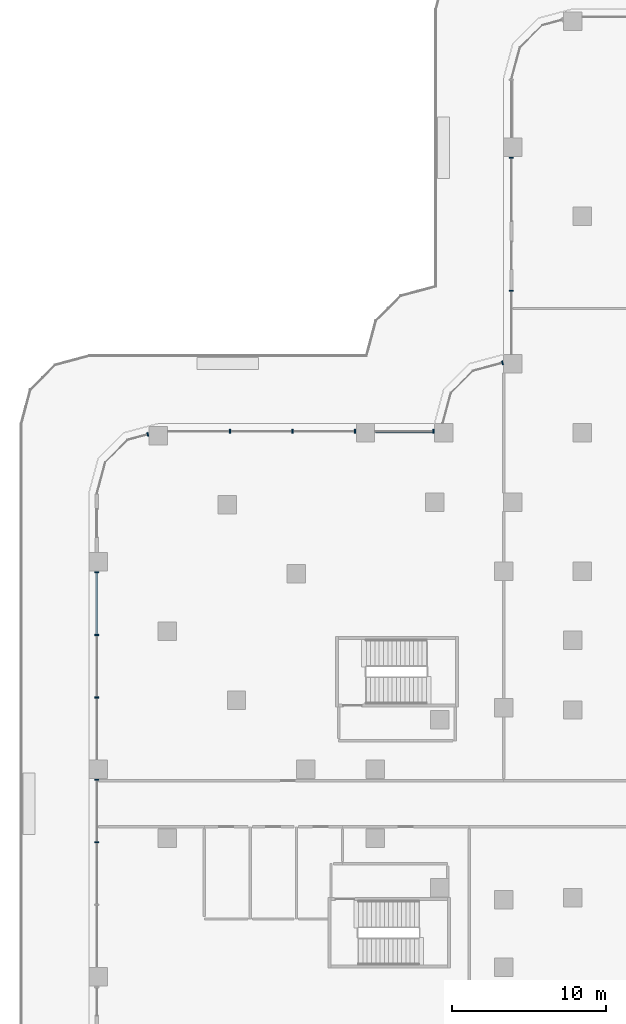
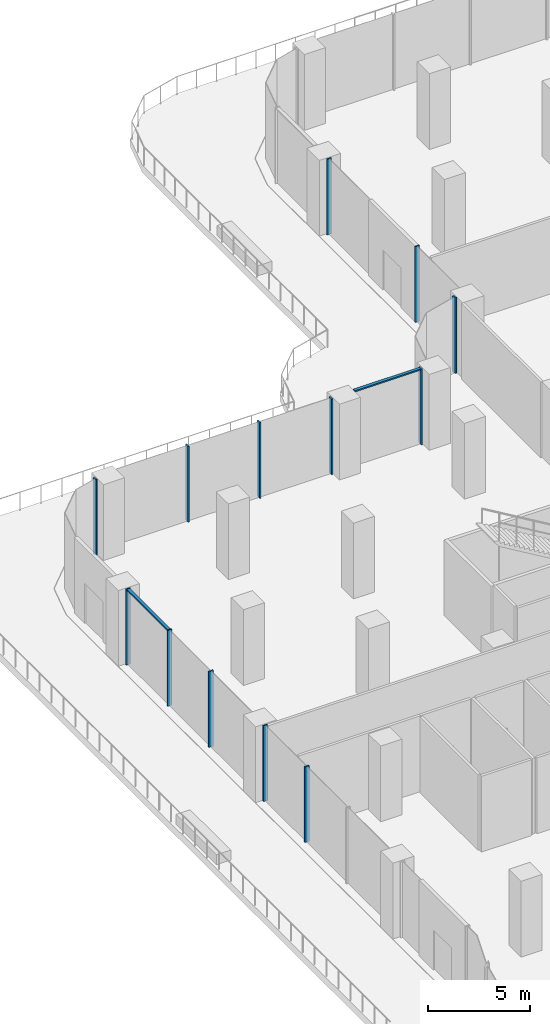
# One storey, part 6 of 30: 15 members, 5 elements without a shape of their own.
"""IFC4 building model written with IfcOpenShell, lengths in metres."""

import ifcopenshell
import ifcopenshell.guid

model = None  # the IFC model being written
_history = None  # IfcOwnerHistory: only IFC2X3 demands one
_inside = {}  # id of a spatial element -> (the spatial element, [elements in it])
_under = {}  # id of a project, library or spatial element -> (it, [spatial elements below it])
_declared = {}  # id of a project -> (the project, [libraries it declares])
_typed = {}  # id of a type object -> (the type object, [elements of that type])
_made_of = {}  # id of a material, layer set ... -> (it, [elements and type objects made of it])


def new_model(schema):
    """Start an empty IFC model of exactly this schema.

    Asked for "IFC4X3", IfcOpenShell would pick the latest addendum, in which some entities
    have other attributes; the version numbers below select the first issue.
    IFC2X3 requires an IfcOwnerHistory on every rooted entity: one is made here for all.
    """
    global model, _history
    if schema == "IFC4X3":
        model = ifcopenshell.file(schema_version=(4, 3, 0, 0))
    else:
        model = ifcopenshell.file(schema=schema)
    _inside.clear()
    _under.clear()
    _declared.clear()
    _typed.clear()
    _made_of.clear()
    _history = None
    if model.schema == "IFC2X3":
        org = make("IfcOrganization", Name="unknown")
        user = make(
            "IfcPersonAndOrganization",
            ThePerson=make("IfcPerson", FamilyName="unknown"),
            TheOrganization=org,
        )
        app = make(
            "IfcApplication",
            ApplicationDeveloper=org,
            Version="unknown",
            ApplicationFullName="unknown",
            ApplicationIdentifier="unknown",
        )
        _history = make(
            "IfcOwnerHistory",
            OwningUser=user,
            OwningApplication=app,
            ChangeAction="ADDED",
            CreationDate=0,
        )
    return model


def make(cls, **values):
    """One entity of the class cls with the attributes given. An attribute that is None is left unset."""
    return model.create_entity(
        cls, **{name: value for name, value in values.items() if value is not None}
    )


def rooted(cls, **values):
    """An entity with a GlobalId (a new one), such as an element, a storey or a relation."""
    return make(cls, GlobalId=ifcopenshell.guid.new(), OwnerHistory=_history, **values)


def si_unit(unit_type, name, prefix=None):
    """IfcSIUnit, for example si_unit("LENGTHUNIT", "METRE", prefix="MILLI")."""
    return make("IfcSIUnit", UnitType=unit_type, Prefix=prefix, Name=name)


def assignment(units):
    """IfcUnitAssignment: the units of a project."""
    return None if units is None else make("IfcUnitAssignment", Units=units)


def point(xyz):
    """IfcCartesianPoint."""
    return None if xyz is None else make("IfcCartesianPoint", Coordinates=xyz)


def direction(xyz):
    """IfcDirection."""
    return None if xyz is None else make("IfcDirection", DirectionRatios=xyz)


def frame(location, z_axis=None, x_axis=None):
    """IfcAxis2Placement3D, a coordinate frame: its origin and axes. An axis left out is left unset."""
    return make(
        "IfcAxis2Placement3D",
        Location=point(location),
        Axis=direction(z_axis),
        RefDirection=direction(x_axis),
    )


def origin():
    """The frame at (0, 0, 0) with its axes left unset."""
    return frame((0.0, 0.0, 0.0))


def place(relative_to, where):
    """IfcLocalPlacement: puts the frame where relative to a parent placement (None: the world)."""
    return make(
        "IfcLocalPlacement", PlacementRelTo=relative_to, RelativePlacement=where
    )


def context(
    kind, dimensions, precision=None, world=None, true_north=None, identifier=None
):
    """IfcGeometricRepresentationContext, for example the 3D "Model" context."""
    return make(
        "IfcGeometricRepresentationContext",
        ContextIdentifier=identifier,
        ContextType=kind,
        CoordinateSpaceDimension=dimensions,
        Precision=precision,
        WorldCoordinateSystem=world,
        TrueNorth=true_north,
    )


def subcontext(parent, identifier, kind, view, scale=None):
    """IfcGeometricRepresentationSubContext, for example "Body" below "Model"."""
    return make(
        "IfcGeometricRepresentationSubContext",
        ContextIdentifier=identifier,
        ContextType=kind,
        ParentContext=parent,
        TargetScale=scale,
        TargetView=view,
    )


def project(units=None, contexts=None):
    """IfcProject with its units and contexts."""
    return rooted(
        "IfcProject",
        Name="project",
        RepresentationContexts=contexts,
        UnitsInContext=assignment(units),
    )


def spatial(cls, under=None, at=None, **own):
    """A site, building, storey or space (cls), placed at a placement, below another one or the project."""
    s = rooted(cls, ObjectPlacement=at, **own)
    if under is not None:
        _under.setdefault(under.id(), (under, []))[1].append(s)
    return s


def polyline(points):
    """IfcPolyline through the points."""
    return make("IfcPolyline", Points=[point(p) for p in points])


def outline(outer, holes=None, kind="AREA"):
    """IfcArbitraryClosedProfileDef: a profile drawn as a closed curve; with holes, ...WithVoids."""
    if holes is None:
        return make("IfcArbitraryClosedProfileDef", ProfileType=kind, OuterCurve=outer)
    return make(
        "IfcArbitraryProfileDefWithVoids",
        ProfileType=kind,
        OuterCurve=outer,
        InnerCurves=holes,
    )


def extrude(swept, where, along, depth):
    """IfcExtrudedAreaSolid: the profile swept, set in the frame where, extruded along a direction by depth."""
    return make(
        "IfcExtrudedAreaSolid",
        SweptArea=swept,
        Position=where,
        ExtrudedDirection=direction(along),
        Depth=depth,
    )


def shape(context_of_items, identifier, shape_type, items):
    """IfcShapeRepresentation: the items that make up one representation, for example the "Body"."""
    return make(
        "IfcShapeRepresentation",
        ContextOfItems=context_of_items,
        RepresentationIdentifier=identifier,
        RepresentationType=shape_type,
        Items=items,
    )


def source(mapping_origin, context_of_items, identifier, shape_type, items):
    """IfcRepresentationMap: a shape defined once, which mapped items show again and again."""
    return make(
        "IfcRepresentationMap",
        MappingOrigin=mapping_origin,
        MappedRepresentation=shape(context_of_items, identifier, shape_type, items),
    )


def transform(
    local_origin,
    x_axis=None,
    y_axis=None,
    z_axis=None,
    scale=None,
    scale2=None,
    scale3=None,
    uniform=True,
):
    """IfcCartesianTransformationOperator3D, or its non-uniform kind. x_axis, y_axis, z_axis: its Axis1, 2, 3."""
    if uniform:
        return make(
            "IfcCartesianTransformationOperator3D",
            Axis1=direction(x_axis),
            Axis2=direction(y_axis),
            LocalOrigin=point(local_origin),
            Scale=scale,
            Axis3=direction(z_axis),
        )
    return make(
        "IfcCartesianTransformationOperator3DnonUniform",
        Axis1=direction(x_axis),
        Axis2=direction(y_axis),
        LocalOrigin=point(local_origin),
        Scale=scale,
        Axis3=direction(z_axis),
        Scale2=scale2,
        Scale3=scale3,
    )


def mapped(mapping_source, mapping_target):
    """IfcMappedItem: shows the shape of a source again, moved by a transform."""
    return make(
        "IfcMappedItem", MappingSource=mapping_source, MappingTarget=mapping_target
    )


def material(Name=None, Category=None):
    """IfcMaterial."""
    return make("IfcMaterial", Name=Name, Category=Category)


def made_of(thing, what):
    """Note that an element or type object is made of a material, layer set ...; save() writes the relation."""
    if what is not None:
        _made_of.setdefault(what.id(), (what, []))[1].append(thing)
    return thing


def type_object(cls, material=None, **own):
    """A type object (cls), such as IfcWallType, which elements share."""
    return made_of(rooted(cls, **own), material)


def element(
    cls,
    number,
    at=None,
    inside=None,
    cuts=None,
    type_object=None,
    material=None,
    context=None,
    identifier="Body",
    shape_type=None,
    held_by="IfcProductDefinitionShape",
    body=None,
    shapes=None,
    **own,
):
    """One element of the class cls, such as IfcWall. Its Tag is "e" and its number.

    at: its placement. inside: the storey or other place that contains it. cuts: it is an
    opening in that element (IfcRelVoidsElement). A single representation is given by context,
    identifier, shape_type and body (its items); several are given by shapes. held_by: the class
    of the entity that holds the representations. save() writes the other relations.
    """
    e = rooted(cls, Tag="e%d" % number, ObjectPlacement=at, **own)
    if body is not None:
        shapes = [shape(context, identifier, shape_type, body)]
    if shapes is not None:
        e.Representation = make(held_by, Representations=shapes)
    if inside is not None:
        _inside.setdefault(inside.id(), (inside, []))[1].append(e)
    if cuts is not None:
        rooted(
            "IfcRelVoidsElement", RelatingBuildingElement=cuts, RelatedOpeningElement=e
        )
    if type_object is not None:
        _typed.setdefault(type_object.id(), (type_object, []))[1].append(e)
    return made_of(e, material)


def aggregate(whole, parts):
    """IfcRelAggregates: a whole, such as a stair, and the parts it consists of."""
    return rooted("IfcRelAggregates", RelatingObject=whole, RelatedObjects=parts)


def save(model, path):
    """Write the relations noted so far, then the file.

    IfcRelAggregates (storeys below a building ...), IfcRelContainedInSpatialStructure (elements
    in a storey), IfcRelDefinesByType, IfcRelAssociatesMaterial and IfcRelDeclares: one each for
    every whole, place, type object, material and project.
    """
    for whole, parts in _under.values():
        aggregate(whole, parts)
    for where, things in _inside.values():
        rooted(
            "IfcRelContainedInSpatialStructure",
            RelatedElements=things,
            RelatingStructure=where,
        )
    for kind, things in _typed.values():
        rooted("IfcRelDefinesByType", RelatedObjects=things, RelatingType=kind)
    for what, things in _made_of.values():
        rooted("IfcRelAssociatesMaterial", RelatedObjects=things, RelatingMaterial=what)
    for by, libraries in _declared.values():
        rooted("IfcRelDeclares", RelatingContext=by, RelatedDefinitions=libraries)
    model.write(path)


model = new_model("IFC4")

# Units and contexts
model_context = context("Model", 3, precision=1e-05, world=origin(), true_north=direction((0.0, 1.0)))
body_context = subcontext(model_context, "Body", "Model", "MODEL_VIEW")
ifc_project = project(units=[si_unit("LENGTHUNIT", "METRE"), si_unit("AREAUNIT", "SQUARE_METRE"), si_unit("VOLUMEUNIT", "CUBIC_METRE"), si_unit("PLANEANGLEUNIT", "RADIAN"), si_unit("MASSUNIT", "GRAM", prefix="KILO")], contexts=[model_context])

# Site, building, storey
site_placement = place(None, origin())
site = spatial("IfcSite", under=ifc_project, at=site_placement, CompositionType="ELEMENT")
building_placement = place(site_placement, origin())
building = spatial("IfcBuilding", under=site, at=building_placement, Name="Zarbagh Exchange Tower", CompositionType="ELEMENT")
storey_placement = place(building_placement, frame((0.0, 0.0, 7.0)))
storey = spatial("IfcBuildingStorey", under=building, at=storey_placement, Name="L01", CompositionType="ELEMENT", Elevation=7.0)

# Curtain wall, member
ifc_material_1 = material(Name="Anodised aluminium frame and glazing", Category="aluminium")
curtain_wall_type = type_object("IfcCurtainWallType", Name="CWC Podium garden-wall glazing", PredefinedType="NOTDEFINED", material=ifc_material_1)
curtain_wall_1_placement = place(storey_placement, origin())
curtain_wall_1 = element("IfcCurtainWall", 1, at=curtain_wall_1_placement, inside=storey, type_object=curtain_wall_type, Name="CWC82 curtain wall", PredefinedType="NOTDEFINED")
ifc_material_2 = material(Name="Anodised aluminium frame", Category="aluminium")
member_type_1 = type_object("IfcMemberType", Name="TRC Transom, anodised aluminium frame", PredefinedType="USERDEFINED", material=ifc_material_2)
shared_shape_1 = source(origin(), body_context, "Body", "SweptSolid", [
    extrude(outline(polyline([(-0.080078125, -0.090087890625), (0.0, -0.090087890625), (0.0, 0.090087890625), (-0.080078125, 0.090087890625), (-0.080078125, -0.090087890625)])), origin(), (0.0, 0.0, 1.0), 3.739990234375),
])
placement = place(storey_placement, origin())
member_1 = element("IfcMember", 2, at=placement, type_object=member_type_1, Name="CWC82 transom 1.1", ObjectType="TRANSOM", PredefinedType="USERDEFINED", context=body_context, shape_type="MappedRepresentation", body=[
    mapped(shared_shape_1, transform((-29.3701171875, 24.25, 4.550048828125), x_axis=(0.0, 0.0, 1.0), y_axis=(0.0, 1.0, 0.0), z_axis=(-1.0, 0.0, 0.0))),
])

# Curtain wall, members
curtain_wall_2_placement = place(storey_placement, origin())
curtain_wall_2 = element("IfcCurtainWall", 3, at=curtain_wall_2_placement, inside=storey, type_object=curtain_wall_type, Name="CWC78 curtain wall", PredefinedType="NOTDEFINED")
member_type_2 = type_object("IfcMemberType", Name="MUC Mullion, anodised aluminium frame", PredefinedType="MULLION", material=ifc_material_2)
shared_shape_2 = source(origin(), body_context, "Body", "SweptSolid", [
    extrude(outline(polyline([(0.0, -0.125), (0.080078125, -0.125), (0.080078125, 0.125), (0.0, 0.125), (0.0, -0.125)])), origin(), (0.0, 0.0, 1.0), 4.550048828125),
])
member_2 = element("IfcMember", 4, at=placement, type_object=member_type_2, Name="CWC78 mullion 2.1", PredefinedType="MULLION", context=body_context, shape_type="MappedRepresentation", body=[
    mapped(shared_shape_2, transform((-24.25, 42.10986328125, 0.0), x_axis=(0.0, -1.0, 0.0), y_axis=(1.0, 0.0, 0.0), z_axis=(0.0, 0.0, 1.0))),
])
member_3 = element("IfcMember", 5, at=placement, type_object=member_type_2, Name="CWC78 mullion 3.1", PredefinedType="MULLION", context=body_context, shape_type="MappedRepresentation", body=[
    mapped(shared_shape_2, transform((-24.25, 33.449951171875, 0.0), x_axis=(0.0, -1.0, 0.0), y_axis=(1.0, 0.0, 0.0), z_axis=(0.0, 0.0, 1.0))),
])
aggregate(curtain_wall_2, [member_2, member_3])

# Curtain wall, member
curtain_wall_3_placement = place(storey_placement, origin())
curtain_wall_3 = element("IfcCurtainWall", 6, at=curtain_wall_3_placement, inside=storey, type_object=curtain_wall_type, Name="CWC79 curtain wall", PredefinedType="NOTDEFINED")
member_4 = element("IfcMember", 7, at=placement, type_object=member_type_2, Name="CWC79 mullion 1.1", PredefinedType="MULLION", context=body_context, shape_type="MappedRepresentation", body=[
    mapped(shared_shape_2, transform((-24.7900390625, 28.7216796875, 0.0), x_axis=(-0.965924289636, -0.258824779902, 0.0), y_axis=(0.258824779902, -0.965924289636, 0.0), z_axis=(0.0, 0.0, 1.0))),
])
aggregate(curtain_wall_3, [member_4])

# Member
member_5 = element("IfcMember", 8, at=placement, type_object=member_type_2, Name="CWC82 mullion 1.1", PredefinedType="MULLION", context=body_context, shape_type="MappedRepresentation", body=[
    mapped(shared_shape_2, transform((-29.2900390625, 24.25, 0.0), x_axis=(-1.0, 0.0, 0.0), y_axis=(0.0, -1.0, 0.0), z_axis=(0.0, 0.0, 1.0))),
])

member_6 = element("IfcMember", 9, at=placement, type_object=member_type_2, Name="CWC82 mullion 2.1", PredefinedType="MULLION", context=body_context, shape_type="MappedRepresentation", body=[
    mapped(shared_shape_2, transform((-34.39013671875, 24.25, 0.0), x_axis=(-1.0, 0.0, 0.0), y_axis=(0.0, -1.0, 0.0), z_axis=(0.0, 0.0, 1.0))),
])

member_7 = element("IfcMember", 10, at=placement, type_object=member_type_2, Name="CWC82 mullion 2.2", PredefinedType="MULLION", context=body_context, shape_type="MappedRepresentation", body=[
    mapped(shared_shape_2, transform((-38.46337890625, 24.25, 0.0), x_axis=(-1.0, 0.0, 0.0), y_axis=(0.0, -1.0, 0.0), z_axis=(0.0, 0.0, 1.0))),
])

member_8 = element("IfcMember", 11, at=placement, type_object=member_type_2, Name="CWC82 mullion 2.3", PredefinedType="MULLION", context=body_context, shape_type="MappedRepresentation", body=[
    mapped(shared_shape_2, transform((-42.53662109375, 24.25, 0.0), x_axis=(-1.0, 0.0, 0.0), y_axis=(0.0, -1.0, 0.0), z_axis=(0.0, 0.0, 1.0))),
])

aggregate(curtain_wall_1, [member_5, member_1, member_6, member_7, member_8])

# Curtain wall, member
curtain_wall_4_placement = place(storey_placement, origin())
curtain_wall_4 = element("IfcCurtainWall", 12, at=curtain_wall_4_placement, inside=storey, type_object=curtain_wall_type, Name="CWC83 curtain wall", PredefinedType="NOTDEFINED")
member_9 = element("IfcMember", 13, at=placement, type_object=member_type_2, Name="CWC83 mullion 1.1", PredefinedType="MULLION", context=body_context, shape_type="MappedRepresentation", body=[
    mapped(shared_shape_2, transform((-47.889892578125, 24.060791015625, 0.0), x_axis=(-0.965924289636, -0.258824779902, 0.0), y_axis=(0.258824779902, -0.965924289636, 0.0), z_axis=(0.0, 0.0, 1.0))),
])
aggregate(curtain_wall_4, [member_9])

# Curtain wall, members
curtain_wall_5_placement = place(storey_placement, origin())
curtain_wall_5 = element("IfcCurtainWall", 14, at=curtain_wall_5_placement, inside=storey, type_object=curtain_wall_type, Name="CWC86 curtain wall", PredefinedType="NOTDEFINED")
member_10 = element("IfcMember", 15, at=placement, type_object=member_type_2, Name="CWC86 mullion 1.1", PredefinedType="MULLION", context=body_context, shape_type="MappedRepresentation", body=[
    mapped(shared_shape_2, transform((-51.25, 15.10986328125, 0.0), x_axis=(0.0, -1.0, 0.0), y_axis=(1.0, 0.0, 0.0), z_axis=(0.0, 0.0, 1.0))),
])
member_11 = element("IfcMember", 16, at=placement, type_object=member_type_2, Name="CWC86 mullion 1.2", PredefinedType="MULLION", context=body_context, shape_type="MappedRepresentation", body=[
    mapped(shared_shape_2, transform((-51.25, 11.03662109375, 0.0), x_axis=(0.0, -1.0, 0.0), y_axis=(1.0, 0.0, 0.0), z_axis=(0.0, 0.0, 1.0))),
])
member_12 = element("IfcMember", 17, at=placement, type_object=member_type_2, Name="CWC86 mullion 1.3", PredefinedType="MULLION", context=body_context, shape_type="MappedRepresentation", body=[
    mapped(shared_shape_2, transform((-51.25, 6.96337890625, 0.0), x_axis=(0.0, -1.0, 0.0), y_axis=(1.0, 0.0, 0.0), z_axis=(0.0, 0.0, 1.0))),
])
member_13 = element("IfcMember", 18, at=placement, type_object=member_type_2, Name="CWC86 mullion 2.1", PredefinedType="MULLION", context=body_context, shape_type="MappedRepresentation", body=[
    mapped(shared_shape_2, transform((-51.25, 1.60986328125, 0.0), x_axis=(0.0, -1.0, 0.0), y_axis=(1.0, 0.0, 0.0), z_axis=(0.0, 0.0, 1.0))),
])
member_14 = element("IfcMember", 19, at=placement, type_object=member_type_2, Name="CWC86 mullion 2.2", PredefinedType="MULLION", context=body_context, shape_type="MappedRepresentation", body=[
    mapped(shared_shape_2, transform((-51.25, -2.46337890625, 0.0), x_axis=(0.0, -1.0, 0.0), y_axis=(1.0, 0.0, 0.0), z_axis=(0.0, 0.0, 1.0))),
])
shared_shape_3 = source(origin(), body_context, "Body", "SweptSolid", [
    extrude(outline(polyline([(-0.080078125, -0.090087890625), (0.0, -0.090087890625), (0.0, 0.090087890625), (-0.080078125, 0.090087890625), (-0.080078125, -0.090087890625)])), origin(), (0.0, 0.0, 1.0), 3.993408203125),
])
member_15 = element("IfcMember", 20, at=placement, type_object=member_type_1, Name="CWC86 transom 1.1", ObjectType="TRANSOM", PredefinedType="USERDEFINED", context=body_context, shape_type="MappedRepresentation", body=[
    mapped(shared_shape_3, transform((-51.25, 15.030029296875, 4.550048828125), x_axis=(0.0, 0.0, 1.0), y_axis=(-1.0, 0.0, 0.0), z_axis=(0.0, -1.0, 0.0))),
])
aggregate(curtain_wall_5, [member_10, member_15, member_11, member_12, member_13, member_14])

save(model, "model.ifc")
